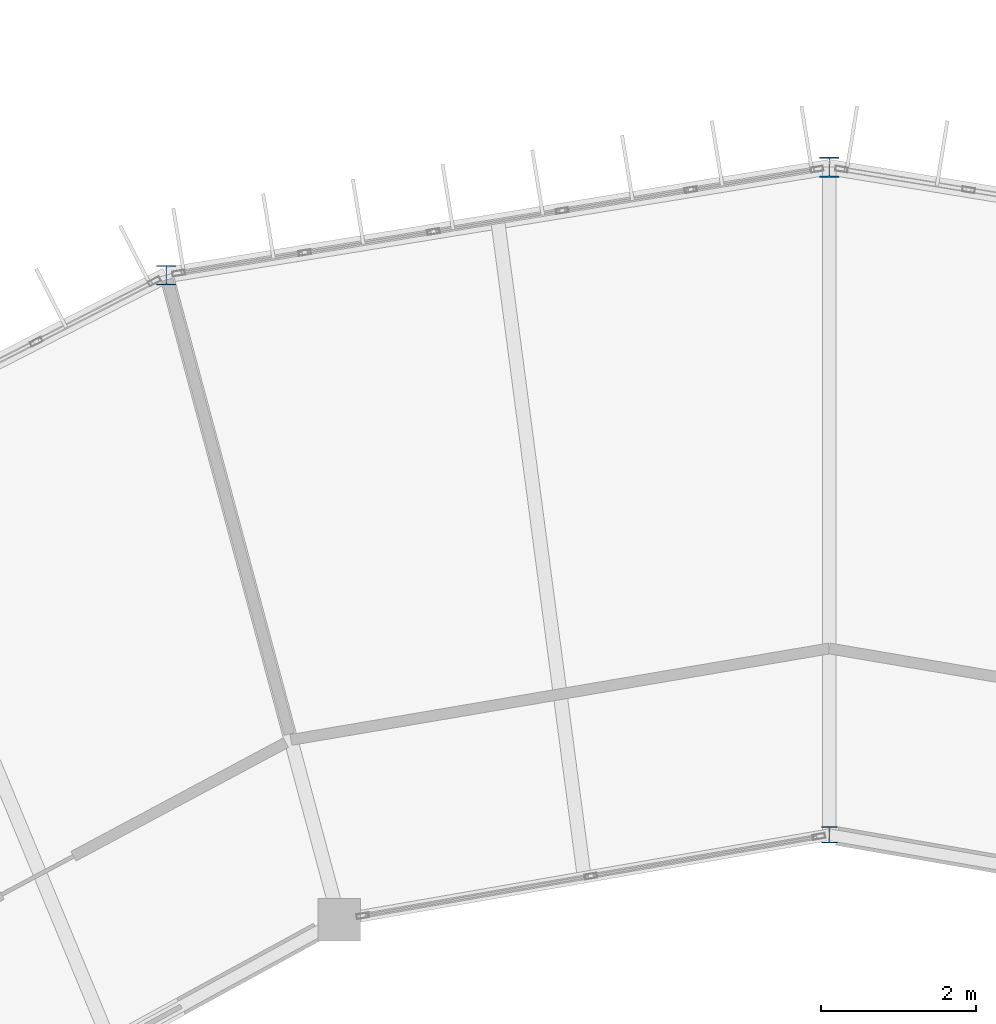
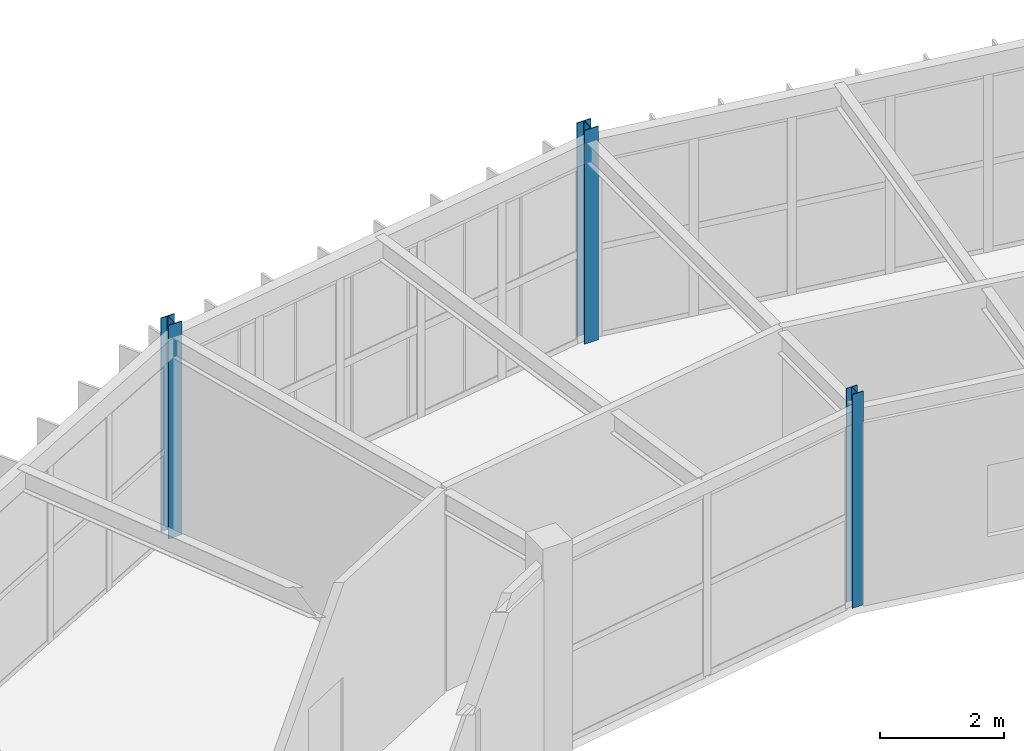
# One storey, part 11 of 106: 3 columns.
"""IFC4 building model written with IfcOpenShell, lengths in metres."""

from ifc_helpers import new_model, si_unit, direction, frame, origin, origin_2d, place, context, subcontext, project, spatial, i_section, extrude, material, material_profile, profile_set, type_object, element, save


model = new_model("IFC4")

# Units and contexts
model_context = context("Model", 3, precision=1e-05, world=origin(), true_north=direction((0.0, 1.0)))
body_context = subcontext(model_context, "Body", "Model", "MODEL_VIEW")
ifc_project = project(units=[si_unit("LENGTHUNIT", "METRE"), si_unit("AREAUNIT", "SQUARE_METRE"), si_unit("VOLUMEUNIT", "CUBIC_METRE"), si_unit("PLANEANGLEUNIT", "RADIAN"), si_unit("MASSUNIT", "GRAM", prefix="KILO")], contexts=[model_context])

# Site, building, storey
site_placement = place(None, origin())
site = spatial("IfcSite", under=ifc_project, at=site_placement, CompositionType="ELEMENT")
building_placement = place(site_placement, origin())
building = spatial("IfcBuilding", under=site, at=building_placement, Name="Karori Crest Natural Sciences Institute", CompositionType="ELEMENT")
storey_placement = place(building_placement, frame((0.0, 0.0, 25.89990234375)))
storey = spatial("IfcBuildingStorey", under=building, at=storey_placement, Name="L06", CompositionType="ELEMENT", Elevation=25.89990234375)

# Columns
ifc_material = material(Name="Structural steel AS/NZS 3679.1 Grade 350", Category="steel")
ifc_material_profile_1 = material_profile(ifc_material, i_section(OverallWidth=0.256103515625, OverallDepth=0.260009765625, WebThickness=0.010498046875, FlangeThickness=0.017333984375, FilletRadius=0.013916015625, at=origin_2d()), Name="250UC89.5")
ifc_profile_set_1 = profile_set([ifc_material_profile_1], Name="Structural steel AS/NZS 3679.1 Grade 350")
column_type_1 = type_object("IfcColumnType", Name="CT-06", PredefinedType="COLUMN", material=ifc_profile_set_1)
column_1_placement = place(storey_placement, frame((66.39990234375, 90.699951171875, 0.0), z_axis=(0.0, 0.0, 1.0), x_axis=(1.0, 0.0, 0.0)))
element("IfcColumn", 1, at=column_1_placement, inside=storey, type_object=column_type_1, Name="Column C-0123", PredefinedType="COLUMN", context=body_context, shape_type="SweptSolid", body=[
    extrude(i_section(OverallWidth=0.256103515625, OverallDepth=0.260009765625, WebThickness=0.010498046875, FlangeThickness=0.017333984375, FilletRadius=0.013916015625, at=origin_2d()), origin(), (0.0, 0.0, 1.0), 4.2001953125),
])
ifc_material_profile_2 = material_profile(ifc_material, i_section(OverallWidth=0.25390625, OverallDepth=0.25390625, WebThickness=0.008544921875, FlangeThickness=0.01416015625, FilletRadius=0.013916015625, at=origin_2d()), Name="250UC72.9")
ifc_profile_set_2 = profile_set([ifc_material_profile_2], Name="Structural steel AS/NZS 3679.1 Grade 350")
column_type_2 = type_object("IfcColumnType", Name="CT-07", PredefinedType="COLUMN", material=ifc_profile_set_2)
column_2_placement = place(storey_placement, frame((57.85888671875, 89.309814453125, 0.0), z_axis=(0.0, 0.0, 1.0), x_axis=(1.0, 0.0, 0.0)))
element("IfcColumn", 2, at=column_2_placement, inside=storey, type_object=column_type_2, Name="Column C-0139", PredefinedType="COLUMN", context=body_context, shape_type="SweptSolid", body=[
    extrude(i_section(OverallWidth=0.25390625, OverallDepth=0.25390625, WebThickness=0.008544921875, FlangeThickness=0.01416015625, FilletRadius=0.013916015625, at=origin_2d()), origin(), (0.0, 0.0, 1.0), 4.2001953125),
])
ifc_material_profile_3 = material_profile(ifc_material, i_section(OverallWidth=0.205078125, OverallDepth=0.2099609375, WebThickness=0.00927734375, FlangeThickness=0.01416015625, FilletRadius=0.010986328125, at=origin_2d()), Name="200UC59.5")
ifc_profile_set_3 = profile_set([ifc_material_profile_3], Name="Structural steel AS/NZS 3679.1 Grade 350")
column_type_3 = type_object("IfcColumnType", Name="CT-08", PredefinedType="COLUMN", material=ifc_profile_set_3)
column_3_placement = place(storey_placement, frame((66.39990234375, 82.10009765625, 0.0), z_axis=(0.0, 0.0, 1.0), x_axis=(1.0, 0.0, 0.0)))
element("IfcColumn", 3, at=column_3_placement, inside=storey, type_object=column_type_3, Name="Column C-0124", PredefinedType="COLUMN", context=body_context, shape_type="SweptSolid", body=[
    extrude(i_section(OverallWidth=0.205078125, OverallDepth=0.2099609375, WebThickness=0.00927734375, FlangeThickness=0.01416015625, FilletRadius=0.010986328125, at=origin_2d()), origin(), (0.0, 0.0, 1.0), 4.2001953125),
])

save(model, "model.ifc")
